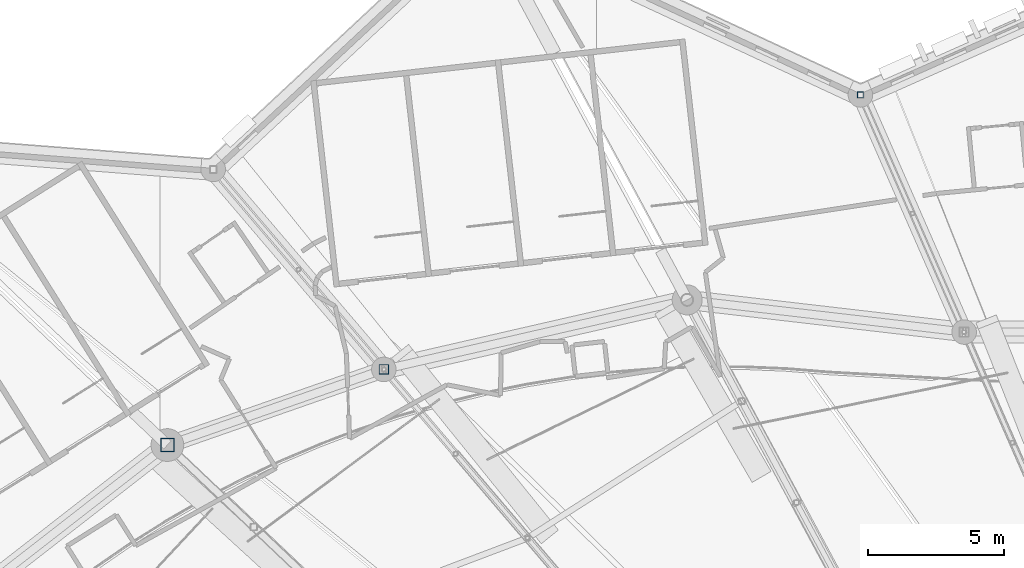
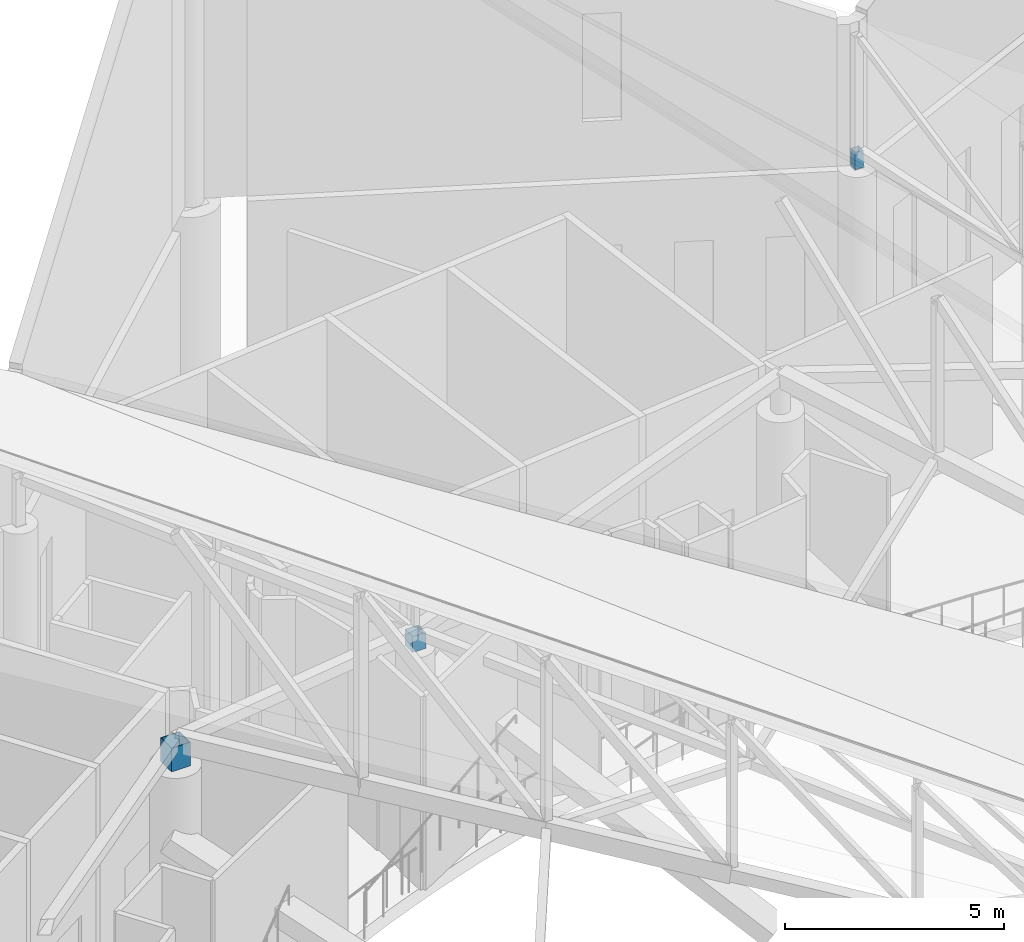
# One storey, part 218 of 344: 3 members.
"""IFC4 building model written with IfcOpenShell, lengths in metres."""

from ifc_helpers import new_model, si_unit, direction, frame, origin, origin_2d, place, context, subcontext, project, spatial, hollow_rectangle, extrude, material, material_profile, profile_set, type_object, element, save


model = new_model("IFC4")

# Units and contexts
model_context = context("Model", 3, precision=1e-05, world=origin(), true_north=direction((0.0, 1.0)))
body_context = subcontext(model_context, "Body", "Model", "MODEL_VIEW")
ifc_project = project(units=[si_unit("LENGTHUNIT", "METRE"), si_unit("AREAUNIT", "SQUARE_METRE"), si_unit("VOLUMEUNIT", "CUBIC_METRE"), si_unit("PLANEANGLEUNIT", "RADIAN"), si_unit("MASSUNIT", "GRAM", prefix="KILO")], contexts=[model_context])

# Site, building, storey
site_placement = place(None, origin())
site = spatial("IfcSite", under=ifc_project, at=site_placement, CompositionType="ELEMENT")
building_placement = place(site_placement, origin())
building = spatial("IfcBuilding", under=site, at=building_placement, Name="Meseta Stadium", CompositionType="ELEMENT")
storey_placement = place(building_placement, frame((0.0, 0.0, 24.0)))
storey = spatial("IfcBuildingStorey", under=building, at=storey_placement, Name="L04", CompositionType="ELEMENT", Elevation=24.0)

# Members
ifc_material_1 = material(Name="Steel S355", Category="steel")
ifc_material_profile_1 = material_profile(ifc_material_1, hollow_rectangle(XDim=0.219970703125, YDim=0.219970703125, WallThickness=0.008056640625, at=origin_2d()), Name="SHS 220x220x8")
ifc_profile_set_1 = profile_set([ifc_material_profile_1], Name="Steel S355")
member_type_1 = type_object("IfcMemberType", Name="SHS 220x220x8 rim post", PredefinedType="POST", material=ifc_profile_set_1)
member_1_placement = place(storey_placement, frame((-38.333251953125, 98.60009765625, 6.0), z_axis=(0.0, 0.0, 1.0), x_axis=(1.0, 0.0, 0.0)))
element("IfcMember", 1, at=member_1_placement, inside=storey, type_object=member_type_1, Name="ROOF RIM POST RT-21", PredefinedType="POST", context=body_context, shape_type="SweptSolid", body=[
    extrude(hollow_rectangle(XDim=0.219970703125, YDim=0.219970703125, WallThickness=0.008056640625, at=origin_2d()), origin(), (0.0, 0.0, 1.0), 0.47802734375),
])
ifc_material_2 = material(Name="Steel S355", Category="steel")
ifc_material_profile_2 = material_profile(ifc_material_2, hollow_rectangle(XDim=0.35009765625, YDim=0.35009765625, WallThickness=0.010009765625, at=origin_2d()), Name="SHS 350x350x10")
ifc_profile_set_2 = profile_set([ifc_material_profile_2], Name="Steel S355")
member_type_2 = type_object("IfcMemberType", Name="SHS 350x350x10 pedestal", PredefinedType="POST", material=ifc_profile_set_2)
member_2_placement = place(storey_placement, frame((-55.799560546875, 88.541748046875, 4.800048828125), z_axis=(0.0, 0.0, 1.0), x_axis=(1.0, 0.0, 0.0)))
element("IfcMember", 2, at=member_2_placement, inside=storey, type_object=member_type_2, Name="ROOF TRUSS RT-23 pedestal", PredefinedType="POST", context=body_context, shape_type="SweptSolid", body=[
    extrude(hollow_rectangle(XDim=0.35009765625, YDim=0.35009765625, WallThickness=0.010009765625, at=origin_2d()), origin(), (0.0, 0.0, 1.0), 0.445556640625),
])
ifc_material_3 = material(Name="Steel S355", Category="steel")
ifc_material_profile_3 = material_profile(ifc_material_3, hollow_rectangle(XDim=0.5, YDim=0.5, WallThickness=0.01611328125, at=origin_2d()), Name="SHS 500x500x16")
ifc_profile_set_3 = profile_set([ifc_material_profile_3], Name="Steel S355")
member_type_3 = type_object("IfcMemberType", Name="SHS 500x500x16 pedestal", PredefinedType="POST", material=ifc_profile_set_3)
member_3_placement = place(storey_placement, frame((-63.731201171875, 85.77099609375, 6.0), z_axis=(0.0, 0.0, 1.0), x_axis=(1.0, 0.0, 0.0)))
element("IfcMember", 3, at=member_3_placement, inside=storey, type_object=member_type_3, Name="ROOF TRUSS RT-24 pedestal", PredefinedType="POST", context=body_context, shape_type="SweptSolid", body=[
    extrude(hollow_rectangle(XDim=0.5, YDim=0.5, WallThickness=0.01611328125, at=origin_2d()), origin(), (0.0, 0.0, 1.0), 0.657470703125),
])

save(model, "model.ifc")
